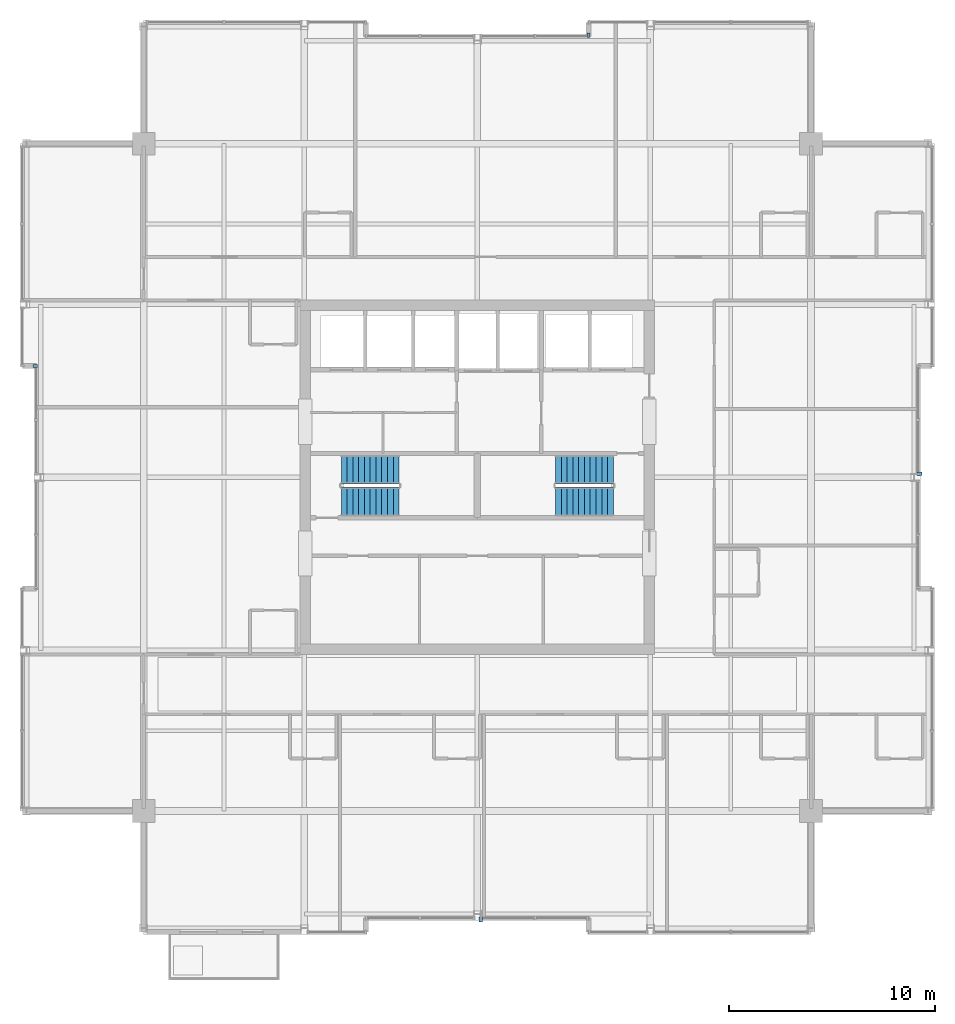
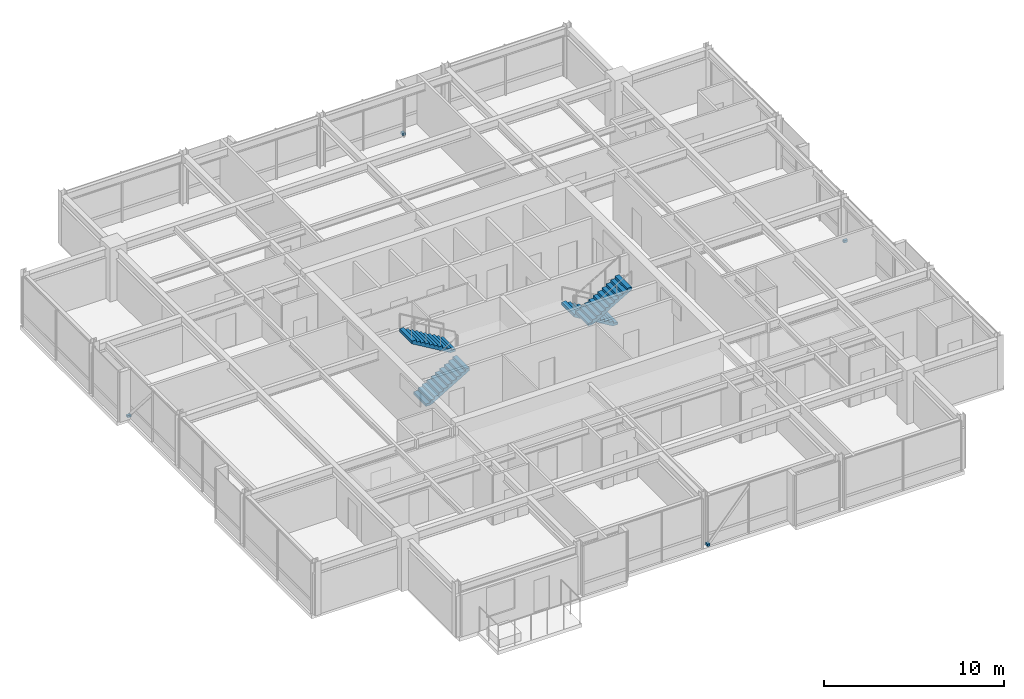
# One storey, part 31 of 34: 4 discrete accessories, 4 stair flights, 2 elements without a shape of their own.
"""IFC4 building model written with IfcOpenShell, lengths in metres."""

from ifc_helpers import new_model, si_unit, direction, frame, origin, origin_2d, place, context, subcontext, project, spatial, polyline, rectangle, outline, extrude, material, type_object, element, aggregate, save


model = new_model("IFC4")

# Units and contexts
model_context = context("Model", 3, precision=1e-05, world=origin(), true_north=direction((0.0, 1.0)))
body_context = subcontext(model_context, "Body", "Model", "MODEL_VIEW")
ifc_project = project(units=[si_unit("LENGTHUNIT", "METRE"), si_unit("AREAUNIT", "SQUARE_METRE"), si_unit("VOLUMEUNIT", "CUBIC_METRE"), si_unit("PLANEANGLEUNIT", "RADIAN"), si_unit("MASSUNIT", "GRAM", prefix="KILO")], contexts=[model_context])

# Site, building, storey
site_placement = place(None, origin())
site = spatial("IfcSite", under=ifc_project, at=site_placement, CompositionType="ELEMENT")
building_placement = place(site_placement, origin())
building = spatial("IfcBuilding", under=site, at=building_placement, Name="Drelvath Grand Hotel", CompositionType="ELEMENT")
storey_placement = place(building_placement, frame((0.0, 0.0, 286.89990234375)))
storey = spatial("IfcBuildingStorey", under=building, at=storey_placement, Name="L75", CompositionType="ELEMENT", Elevation=286.89990234375)

# Stair, stair flights
ifc_material_1 = material(Name="Concrete C40/50", Category="concrete")
stair_type = type_object("IfcStairType", Name="Dogleg Exit Stair W1400-R165.9", PredefinedType="HALF_TURN_STAIR", material=ifc_material_1)
stair_1_placement = place(storey_placement, origin())
stair_1 = element("IfcStair", 1, at=stair_1_placement, inside=storey, type_object=stair_type, Name="L75 Core Exit Stair ST-1", PredefinedType="HALF_TURN_STAIR")
stair_flight_type = type_object("IfcStairFlightType", Name="Concrete Stair Flight W1400-R165.9", PredefinedType="STRAIGHT", material=ifc_material_1)
stair_flight_1_placement = place(storey_placement, frame((-6.60009765625, 25.820068359375, 0.0), z_axis=(0.0, 0.0, 1.0), x_axis=(1.0, 0.0, 0.0)))
stair_flight_1 = element("IfcStairFlight", 2, at=stair_flight_1_placement, type_object=stair_flight_type, Name="ST-1 flight 1", NumberOfRisers=11, NumberOfTreads=10, PredefinedType="STRAIGHT", RiserHeight=0.165909091, TreadLength=0.28, context=body_context, shape_type="SweptSolid", body=[
    extrude(outline(polyline([(0.0, 0.0), (0.0, 0.166015625), (0.280029296875, 0.166015625), (0.280029296875, 0.331787109375), (0.56005859375, 0.331787109375), (0.56005859375, 0.497802734375), (0.840087890625, 0.497802734375), (0.840087890625, 0.66357421875), (1.1201171875, 0.66357421875), (1.1201171875, 0.82958984375), (1.39990234375, 0.82958984375), (1.39990234375, 0.995361328125), (1.679931640625, 0.995361328125), (1.679931640625, 1.161376953125), (1.9599609375, 1.161376953125), (1.9599609375, 1.327392578125), (2.239990234375, 1.327392578125), (2.239990234375, 1.4931640625), (2.52001953125, 1.4931640625), (2.52001953125, 1.6591796875), (2.800048828125, 1.6591796875), (2.800048828125, 1.824951171875), (2.800048828125, 1.47314453125), (0.313720703125, 0.0), (0.0, 0.0)])), frame((0.0, 0.699951171875, 0.0), z_axis=(0.0, -1.0, 0.0), x_axis=(1.0, 0.0, 0.0)), (0.0, 0.0, 1.0), 1.39990234375),
])
stair_flight_2_placement = place(storey_placement, frame((-3.800048828125, 27.3798828125, 1.8251953125), z_axis=(0.0, 0.0, 1.0), x_axis=(-1.0, 0.0, 0.0)))
stair_flight_2 = element("IfcStairFlight", 3, at=stair_flight_2_placement, type_object=stair_flight_type, Name="ST-1 flight 2", NumberOfRisers=11, NumberOfTreads=10, PredefinedType="STRAIGHT", RiserHeight=0.165909091, TreadLength=0.28, context=body_context, shape_type="SweptSolid", body=[
    extrude(outline(polyline([(0.0, 0.0), (0.0, 0.166015625), (0.280029296875, 0.166015625), (0.280029296875, 0.331787109375), (0.56005859375, 0.331787109375), (0.56005859375, 0.497802734375), (0.840087890625, 0.497802734375), (0.840087890625, 0.66357421875), (1.1201171875, 0.66357421875), (1.1201171875, 0.82958984375), (1.39990234375, 0.82958984375), (1.39990234375, 0.995361328125), (1.679931640625, 0.995361328125), (1.679931640625, 1.161376953125), (1.9599609375, 1.161376953125), (1.9599609375, 1.327392578125), (2.239990234375, 1.327392578125), (2.239990234375, 1.4931640625), (2.52001953125, 1.4931640625), (2.52001953125, 1.6591796875), (2.800048828125, 1.6591796875), (2.800048828125, 1.824951171875), (2.800048828125, 1.47314453125), (0.313720703125, 0.0), (0.0, 0.0)])), frame((0.0, 0.699951171875, 0.0), z_axis=(0.0, -1.0, 0.0), x_axis=(1.0, 0.0, 0.0)), (0.0, 0.0, 1.0), 1.39990234375),
])
aggregate(stair_1, [stair_flight_1, stair_flight_2])

stair_2_placement = place(storey_placement, origin())
stair_2 = element("IfcStair", 4, at=stair_2_placement, inside=storey, type_object=stair_type, Name="L75 Core Exit Stair ST-2", PredefinedType="HALF_TURN_STAIR")
stair_flight_3_placement = place(storey_placement, frame((6.60009765625, 27.3798828125, 0.0), z_axis=(0.0, 0.0, 1.0), x_axis=(-1.0, 0.0, 0.0)))
stair_flight_3 = element("IfcStairFlight", 5, at=stair_flight_3_placement, type_object=stair_flight_type, Name="ST-2 flight 1", NumberOfRisers=11, NumberOfTreads=10, PredefinedType="STRAIGHT", RiserHeight=0.165909091, TreadLength=0.28, context=body_context, shape_type="SweptSolid", body=[
    extrude(outline(polyline([(0.0, 0.0), (0.0, 0.166015625), (0.280029296875, 0.166015625), (0.280029296875, 0.331787109375), (0.56005859375, 0.331787109375), (0.56005859375, 0.497802734375), (0.840087890625, 0.497802734375), (0.840087890625, 0.66357421875), (1.1201171875, 0.66357421875), (1.1201171875, 0.82958984375), (1.39990234375, 0.82958984375), (1.39990234375, 0.995361328125), (1.679931640625, 0.995361328125), (1.679931640625, 1.161376953125), (1.9599609375, 1.161376953125), (1.9599609375, 1.327392578125), (2.239990234375, 1.327392578125), (2.239990234375, 1.4931640625), (2.52001953125, 1.4931640625), (2.52001953125, 1.6591796875), (2.800048828125, 1.6591796875), (2.800048828125, 1.824951171875), (2.800048828125, 1.47314453125), (0.313720703125, 0.0), (0.0, 0.0)])), frame((0.0, 0.699951171875, 0.0), z_axis=(0.0, -1.0, 0.0), x_axis=(1.0, 0.0, 0.0)), (0.0, 0.0, 1.0), 1.39990234375),
])
stair_flight_4_placement = place(storey_placement, frame((3.800048828125, 25.820068359375, 1.8251953125), z_axis=(0.0, 0.0, 1.0), x_axis=(1.0, 0.0, 0.0)))
stair_flight_4 = element("IfcStairFlight", 6, at=stair_flight_4_placement, type_object=stair_flight_type, Name="ST-2 flight 2", NumberOfRisers=11, NumberOfTreads=10, PredefinedType="STRAIGHT", RiserHeight=0.165909091, TreadLength=0.28, context=body_context, shape_type="SweptSolid", body=[
    extrude(outline(polyline([(0.0, 0.0), (0.0, 0.166015625), (0.280029296875, 0.166015625), (0.280029296875, 0.331787109375), (0.56005859375, 0.331787109375), (0.56005859375, 0.497802734375), (0.840087890625, 0.497802734375), (0.840087890625, 0.66357421875), (1.1201171875, 0.66357421875), (1.1201171875, 0.82958984375), (1.39990234375, 0.82958984375), (1.39990234375, 0.995361328125), (1.679931640625, 0.995361328125), (1.679931640625, 1.161376953125), (1.9599609375, 1.161376953125), (1.9599609375, 1.327392578125), (2.239990234375, 1.327392578125), (2.239990234375, 1.4931640625), (2.52001953125, 1.4931640625), (2.52001953125, 1.6591796875), (2.800048828125, 1.6591796875), (2.800048828125, 1.824951171875), (2.800048828125, 1.47314453125), (0.313720703125, 0.0), (0.0, 0.0)])), frame((0.0, 0.699951171875, 0.0), z_axis=(0.0, -1.0, 0.0), x_axis=(1.0, 0.0, 0.0)), (0.0, 0.0, 1.0), 1.39990234375),
])
aggregate(stair_2, [stair_flight_3, stair_flight_4])

# Discrete accessories
ifc_material_2 = material(Name="Stainless Steel Grade 316", Category="steel")
discrete_accessory_type = type_object("IfcDiscreteAccessoryType", Name="Curtain Wall Fin Mounting Bracket Cleat", PredefinedType="BRACKET", material=ifc_material_2)
for number, where, z_axis, x_axis, name in (
    (7, (-21.4599609375, 32.39990234375, 0.10009765625), (0.0, 0.0, 1.0), (0.0, 1.0, 0.0), "L75 Fin Mounting Bracket CW05-L75-WM2-1"),
    (8, (21.4599609375, 27.169921875, 0.10009765625), (0.0, 0.0, 1.0), (0.0, -1.0, 0.0), "L75 Fin Mounting Bracket CW05-L75-EM2-1"),
    (9, (5.39990234375, 48.4599609375, 0.10009765625), (0.0, 0.0, 1.0), (1.0, 0.0, 0.0), "L75 Fin Mounting Bracket CW05-L75-NM2-1"),
    (10, (0.170166015625, 5.5400390625, 0.10009765625), (0.0, 0.0, 1.0), (-1.0, 0.0, 0.0), "L75 Fin Mounting Bracket CW05-L75-SM2-1"),
):
    element("IfcDiscreteAccessory", number, at=place(storey_placement, frame(where, z_axis=z_axis, x_axis=x_axis)), inside=storey, type_object=discrete_accessory_type, Name=name, PredefinedType="BRACKET", context=body_context, shape_type="SweptSolid", body=[
        extrude(rectangle(XDim=0.159912109375, YDim=0.239990234375, at=origin_2d()), origin(), (0.0, 0.0, 1.0), 0.159912109375),
    ])

save(model, "model.ifc")
